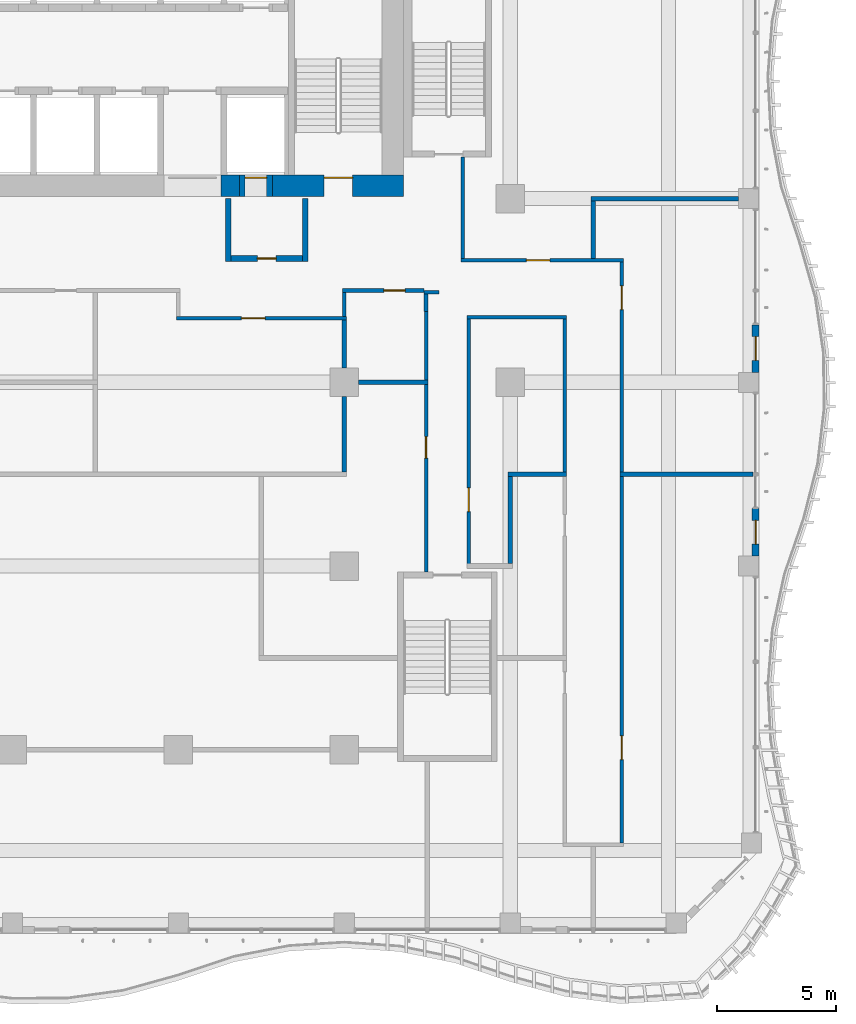
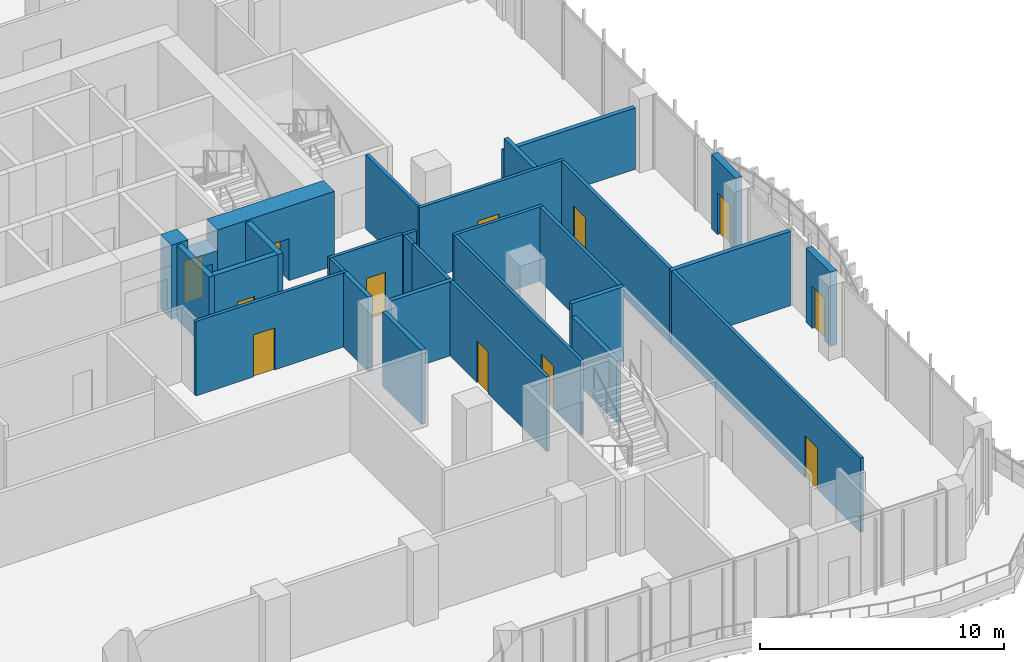
# One storey, part 14 of 27: 30 walls, 12 doors, 12 openings.
"""IFC4 building model written with IfcOpenShell, lengths in metres."""

from ifc_helpers import new_model, si_unit, direction, frame, frame_2d, origin, place, context, subcontext, project, spatial, rectangle, extrude, source, transform, mapped, material, layer, layer_set, type_object, element, fill, save


model = new_model("IFC4")

# Units and contexts
model_context = context("Model", 3, precision=1e-05, world=origin(), true_north=direction((0.0, 1.0)))
body_context = subcontext(model_context, "Body", "Model", "MODEL_VIEW")
ifc_project = project(units=[si_unit("LENGTHUNIT", "METRE"), si_unit("AREAUNIT", "SQUARE_METRE"), si_unit("VOLUMEUNIT", "CUBIC_METRE"), si_unit("PLANEANGLEUNIT", "RADIAN"), si_unit("MASSUNIT", "GRAM", prefix="KILO")], contexts=[model_context])

# Site, building, storey
site_placement = place(None, origin())
site = spatial("IfcSite", under=ifc_project, at=site_placement, CompositionType="ELEMENT")
building_placement = place(site_placement, origin())
building = spatial("IfcBuilding", under=site, at=building_placement, Name="Kilnfold Tower and Market Hall", CompositionType="ELEMENT")
storey_placement = place(building_placement, frame((0.0, 0.0, 116.60009765625)))
storey = spatial("IfcBuildingStorey", under=building, at=storey_placement, Name="L27", CompositionType="ELEMENT", Elevation=116.60009765625)

# Wall, opening, door
ifc_material_1 = material(Name="Gypsum board on steel studs", Category="steel")
ifc_layer_1 = layer(ifc_material_1, 0.14990234375)
ifc_layer_set_1 = layer_set([ifc_layer_1], Name="Gypsum board on steel studs")
wall_type_1 = type_object("IfcWallType", Name="WALL CORRIDOR 150", PredefinedType="PARTITIONING", material=ifc_layer_set_1)
wall_1_placement = place(storey_placement, frame((8.425048828125, 2.949951171875, 0.0), z_axis=(0.0, 0.0, 1.0), x_axis=(1.0, 0.0, 0.0)))
wall_1 = element("IfcWall", 1, at=wall_1_placement, inside=storey, type_object=wall_type_1, Name="Partition LY17.15", PredefinedType="PARTITIONING", context=body_context, shape_type="SweptSolid", body=[
    extrude(rectangle(XDim=7.175048828125, YDim=0.14990234375, at=frame_2d((3.58740234375, 0.0))), origin(), (0.0, 0.0, 1.0), 3.719970703125),
])
opening_1_placement = place(wall_1_placement, frame((2.73291015625, 0.0, 0.0)))
opening_1 = element("IfcOpeningElement", 2, at=opening_1_placement, cuts=wall_1, Name="Opening D1", PredefinedType="OPENING", context=body_context, shape_type="SweptSolid", body=[
    extrude(rectangle(XDim=1.0, YDim=2.10009765625, at=frame_2d((0.5, 1.050048828125))), frame((0.0, 0.0849609375, 0.0), z_axis=(0.0, -1.0, 0.0), x_axis=(1.0, 0.0, 0.0)), (0.0, 0.0, 1.0), 0.169921875),
])
ifc_material_2 = material(Name="Timber veneer door leaf in steel frame", Category="steel")
door_type_1 = type_object("IfcDoorType", Name="DOOR ENTRY 1000 X2100", OperationType="NOTDEFINED", PredefinedType="DOOR", material=ifc_material_2)
door_1_placement = place(opening_1_placement, origin())
door_1 = element("IfcDoor", 3, at=door_1_placement, inside=storey, type_object=door_type_1, Name="Door D1", OperationType="SINGLE_SWING_RIGHT", OverallHeight=2.10009765625, OverallWidth=1.0, PredefinedType="DOOR", context=body_context, shape_type="SweptSolid", body=[
    extrude(rectangle(XDim=1.0, YDim=2.10009765625, at=frame_2d((0.5, 1.050048828125))), frame((0.0, 0.02490234375, 0.0), z_axis=(0.0, -1.0, 0.0), x_axis=(1.0, 0.0, 0.0)), (0.0, 0.0, 1.0), 0.050048828125),
])
fill(opening_1, door_1)

wall_2_placement = place(storey_placement, frame((18.949951171875, -7.75, 0.0), z_axis=(0.0, 0.0, 1.0), x_axis=(0.0, 1.0, 0.0)))
wall_2 = element("IfcWall", 4, at=wall_2_placement, inside=storey, type_object=wall_type_1, Name="Partition LY17.17", PredefinedType="PARTITIONING", context=body_context, shape_type="SweptSolid", body=[
    extrude(rectangle(XDim=7.909912109375, YDim=0.14990234375, at=frame_2d((3.955078125, 0.0))), origin(), (0.0, 0.0, 1.0), 3.719970703125),
])
opening_2_placement = place(wall_2_placement, frame((4.806884765625, 0.0, 0.0)))
opening_2 = element("IfcOpeningElement", 5, at=opening_2_placement, cuts=wall_2, Name="Opening D2", PredefinedType="OPENING", context=body_context, shape_type="SweptSolid", body=[
    extrude(rectangle(XDim=0.89990234375, YDim=2.10009765625, at=frame_2d((0.449951171875, 1.050048828125))), frame((0.0, 0.0849609375, 0.0), z_axis=(0.0, -1.0, 0.0), x_axis=(1.0, 0.0, 0.0)), (0.0, 0.0, 1.0), 0.169921875),
])
ifc_material_3 = material(Name="Timber veneer door leaf in steel frame", Category="steel")
door_type_2 = type_object("IfcDoorType", Name="DOOR ROOM 900 X2100", OperationType="NOTDEFINED", PredefinedType="DOOR", material=ifc_material_3)
door_2_placement = place(opening_2_placement, origin())
door_2 = element("IfcDoor", 6, at=door_2_placement, inside=storey, type_object=door_type_2, Name="Door D2", OperationType="SINGLE_SWING_LEFT", OverallHeight=2.10009765625, OverallWidth=0.89990234375, PredefinedType="DOOR", context=body_context, shape_type="SweptSolid", body=[
    extrude(rectangle(XDim=0.89990234375, YDim=2.10009765625, at=frame_2d((0.449951171875, 1.050048828125))), frame((0.0, 0.02490234375, 0.0), z_axis=(0.0, -1.0, 0.0), x_axis=(1.0, 0.0, 0.0)), (0.0, 0.0, 1.0), 0.050048828125),
])
fill(opening_2, door_2)

wall_3_placement = place(storey_placement, frame((27.199951171875, -19.175048828125, 0.0), z_axis=(0.0, 0.0, 1.0), x_axis=(0.0, 1.0, 0.0)))
wall_3 = element("IfcWall", 7, at=wall_3_placement, inside=storey, type_object=wall_type_1, Name="Partition LY17.20", PredefinedType="PARTITIONING", context=body_context, shape_type="SweptSolid", body=[
    extrude(rectangle(XDim=15.4599609375, YDim=0.14990234375, at=frame_2d((7.72998046875, 0.0))), origin(), (0.0, 0.0, 1.0), 3.719970703125),
])
opening_3_placement = place(wall_3_placement, frame((3.513916015625, 0.0, 0.0)))
opening_3 = element("IfcOpeningElement", 8, at=opening_3_placement, cuts=wall_3, Name="Opening D1", PredefinedType="OPENING", context=body_context, shape_type="SweptSolid", body=[
    extrude(rectangle(XDim=1.0, YDim=2.10009765625, at=frame_2d((0.5, 1.050048828125))), frame((0.0, 0.0849609375, 0.0), z_axis=(0.0, -1.0, 0.0), x_axis=(1.0, 0.0, 0.0)), (0.0, 0.0, 1.0), 0.169921875),
])
door_3_placement = place(opening_3_placement, origin())
door_3 = element("IfcDoor", 9, at=door_3_placement, inside=storey, type_object=door_type_1, Name="Door D1", OperationType="SINGLE_SWING_RIGHT", OverallHeight=2.10009765625, OverallWidth=1.0, PredefinedType="DOOR", context=body_context, shape_type="SweptSolid", body=[
    extrude(rectangle(XDim=1.0, YDim=2.10009765625, at=frame_2d((0.5, 1.050048828125))), frame((0.0, 0.02490234375, 0.0), z_axis=(0.0, -1.0, 0.0), x_axis=(1.0, 0.0, 0.0)), (0.0, 0.0, 1.0), 0.050048828125),
])
fill(opening_3, door_3)

# Walls
wall_4_placement = place(storey_placement, frame((24.800048828125, -3.534912109375, 0.0), z_axis=(0.0, 0.0, 1.0), x_axis=(0.0, 1.0, 0.0)))
element("IfcWall", 10, at=wall_4_placement, inside=storey, type_object=wall_type_1, Name="Partition LY17.22", PredefinedType="PARTITIONING", context=body_context, shape_type="SweptSolid", body=[
    extrude(rectangle(XDim=6.4599609375, YDim=0.14990234375, at=frame_2d((3.22998046875, 0.0))), origin(), (0.0, 0.0, 1.0), 3.719970703125),
])
wall_5_placement = place(storey_placement, frame((20.675048828125, 3.0, 0.0), z_axis=(0.0, 0.0, 1.0), x_axis=(1.0, 0.0, 0.0)))
element("IfcWall", 11, at=wall_5_placement, inside=storey, type_object=wall_type_1, Name="Partition LY17.23", PredefinedType="PARTITIONING", context=body_context, shape_type="SweptSolid", body=[
    extrude(rectangle(XDim=4.199951171875, YDim=0.14990234375, at=frame_2d((2.10009765625, 0.0))), origin(), (0.0, 0.0, 1.0), 3.719970703125),
])

# Wall, opening, door
wall_6_placement = place(storey_placement, frame((20.75, -7.409912109375, 0.0), z_axis=(0.0, 0.0, 1.0), x_axis=(0.0, 1.0, 0.0)))
wall_6 = element("IfcWall", 12, at=wall_6_placement, inside=storey, type_object=wall_type_1, Name="Partition LY17.24", PredefinedType="PARTITIONING", context=body_context, shape_type="SweptSolid", body=[
    extrude(rectangle(XDim=10.3349609375, YDim=0.14990234375, at=frame_2d((5.16748046875, 0.0))), origin(), (0.0, 0.0, 1.0), 3.719970703125),
])
opening_4_placement = place(wall_6_placement, frame((2.2080078125, 0.0, 0.0)))
opening_4 = element("IfcOpeningElement", 13, at=opening_4_placement, cuts=wall_6, Name="Opening D1", PredefinedType="OPENING", context=body_context, shape_type="SweptSolid", body=[
    extrude(rectangle(XDim=1.0, YDim=2.10009765625, at=frame_2d((0.5, 1.050048828125))), frame((0.0, 0.0849609375, 0.0), z_axis=(0.0, -1.0, 0.0), x_axis=(1.0, 0.0, 0.0)), (0.0, 0.0, 1.0), 0.169921875),
])
door_4_placement = place(opening_4_placement, origin())
door_4 = element("IfcDoor", 14, at=door_4_placement, inside=storey, type_object=door_type_1, Name="Door D1", OperationType="SINGLE_SWING_LEFT", OverallHeight=2.10009765625, OverallWidth=1.0, PredefinedType="DOOR", context=body_context, shape_type="SweptSolid", body=[
    extrude(rectangle(XDim=1.0, YDim=2.10009765625, at=frame_2d((0.5, 1.050048828125))), frame((0.0, 0.02490234375, 0.0), z_axis=(0.0, -1.0, 0.0), x_axis=(1.0, 0.0, 0.0)), (0.0, 0.0, 1.0), 0.050048828125),
])
fill(opening_4, door_4)

# Walls
wall_7_placement = place(storey_placement, frame((18.949951171875, 0.340087890625, 0.0), z_axis=(0.0, 0.0, 1.0), x_axis=(0.0, 1.0, 0.0)))
element("IfcWall", 15, at=wall_7_placement, inside=storey, type_object=wall_type_1, Name="Partition LY17.25", PredefinedType="PARTITIONING", context=body_context, shape_type="SweptSolid", body=[
    extrude(rectangle(XDim=2.907958984375, YDim=0.14990234375, at=frame_2d((1.4541015625, 0.0))), origin(), (0.0, 0.0, 1.0), 3.719970703125),
])
wall_8_placement = place(storey_placement, frame((18.947998046875, 3.97705078125, 0.0), z_axis=(0.0, 0.0, 1.0), x_axis=(0.0, -1.0, 0.0)))
element("IfcWall", 16, at=wall_8_placement, inside=storey, type_object=wall_type_1, Name="Partition LY17.26", PredefinedType="PARTITIONING", context=body_context, shape_type="SweptSolid", body=[
    extrude(rectangle(XDim=0.72900390625, YDim=0.14990234375, at=frame_2d((0.364501953125, 0.0))), origin(), (0.0, 0.0, 1.0), 3.719970703125),
])
wall_9_placement = place(storey_placement, frame((18.873046875, 4.052001953125, 0.0), z_axis=(0.0, 0.0, 1.0), x_axis=(1.0, 0.0, 0.0)))
element("IfcWall", 17, at=wall_9_placement, inside=storey, type_object=wall_type_1, Name="Partition LY17.27", PredefinedType="PARTITIONING", context=body_context, shape_type="SweptSolid", body=[
    extrude(rectangle(XDim=0.626953125, YDim=0.14990234375, at=frame_2d((0.3134765625, 0.0))), origin(), (0.0, 0.0, 1.0), 3.719970703125),
])

# Wall, opening, door
wall_10_placement = place(storey_placement, frame((15.425048828125, 4.125, 0.0), z_axis=(0.0, 0.0, 1.0), x_axis=(1.0, 0.0, 0.0)))
wall_10 = element("IfcWall", 18, at=wall_10_placement, inside=storey, type_object=wall_type_1, Name="Partition LY17.28", PredefinedType="PARTITIONING", context=body_context, shape_type="SweptSolid", body=[
    extrude(rectangle(XDim=3.447998046875, YDim=0.14990234375, at=frame_2d((1.72412109375, 0.0))), origin(), (0.0, 0.0, 1.0), 3.719970703125),
])
opening_5_placement = place(wall_10_placement, frame((1.741943359375, 0.0, 0.0)))
opening_5 = element("IfcOpeningElement", 19, at=opening_5_placement, cuts=wall_10, Name="Opening D2", PredefinedType="OPENING", context=body_context, shape_type="SweptSolid", body=[
    extrude(rectangle(XDim=0.89990234375, YDim=2.10009765625, at=frame_2d((0.449951171875, 1.050048828125))), frame((0.0, 0.0849609375, 0.0), z_axis=(0.0, -1.0, 0.0), x_axis=(1.0, 0.0, 0.0)), (0.0, 0.0, 1.0), 0.169921875),
])
door_5_placement = place(opening_5_placement, origin())
door_5 = element("IfcDoor", 20, at=door_5_placement, inside=storey, type_object=door_type_2, Name="Door D2", OperationType="SINGLE_SWING_RIGHT", OverallHeight=2.10009765625, OverallWidth=0.89990234375, PredefinedType="DOOR", context=body_context, shape_type="SweptSolid", body=[
    extrude(rectangle(XDim=0.89990234375, YDim=2.10009765625, at=frame_2d((0.449951171875, 1.050048828125))), frame((0.0, 0.02490234375, 0.0), z_axis=(0.0, -1.0, 0.0), x_axis=(1.0, 0.0, 0.0)), (0.0, 0.0, 1.0), 0.050048828125),
])
fill(opening_5, door_5)

# Wall
wall_11_placement = place(storey_placement, frame((15.5, 3.02490234375, 0.0), z_axis=(0.0, 0.0, 1.0), x_axis=(0.0, 1.0, 0.0)))
element("IfcWall", 21, at=wall_11_placement, inside=storey, type_object=wall_type_1, Name="Partition LY17.29", PredefinedType="PARTITIONING", context=body_context, shape_type="SweptSolid", body=[
    extrude(rectangle(XDim=1.025146484375, YDim=0.14990234375, at=frame_2d((0.5126953125, 0.0))), origin(), (0.0, 0.0, 1.0), 3.719970703125),
])

# Wall, opening, door
wall_12_placement = place(storey_placement, frame((27.199951171875, -3.534912109375, 0.0), z_axis=(0.0, 0.0, 1.0), x_axis=(0.0, 1.0, 0.0)))
wall_12 = element("IfcWall", 22, at=wall_12_placement, inside=storey, type_object=wall_type_1, Name="Partition LY17.30", PredefinedType="PARTITIONING", context=body_context, shape_type="SweptSolid", body=[
    extrude(rectangle(XDim=8.85986328125, YDim=0.14990234375, at=frame_2d((4.429931640625, 0.0))), origin(), (0.0, 0.0, 1.0), 3.719970703125),
])
opening_6_placement = place(wall_12_placement, frame((6.85400390625, 0.0, 0.0)))
opening_6 = element("IfcOpeningElement", 23, at=opening_6_placement, cuts=wall_12, Name="Opening D1", PredefinedType="OPENING", context=body_context, shape_type="SweptSolid", body=[
    extrude(rectangle(XDim=1.0, YDim=2.10009765625, at=frame_2d((0.5, 1.050048828125))), frame((0.0, 0.0849609375, 0.0), z_axis=(0.0, -1.0, 0.0), x_axis=(1.0, 0.0, 0.0)), (0.0, 0.0, 1.0), 0.169921875),
])
door_6_placement = place(opening_6_placement, origin())
door_6 = element("IfcDoor", 24, at=door_6_placement, inside=storey, type_object=door_type_1, Name="Door D1", OperationType="SINGLE_SWING_LEFT", OverallHeight=2.10009765625, OverallWidth=1.0, PredefinedType="DOOR", context=body_context, shape_type="SweptSolid", body=[
    extrude(rectangle(XDim=1.0, YDim=2.10009765625, at=frame_2d((0.5, 1.050048828125))), frame((0.0, 0.02490234375, 0.0), z_axis=(0.0, -1.0, 0.0), x_axis=(1.0, 0.0, 0.0)), (0.0, 0.0, 1.0), 0.050048828125),
])
fill(opening_6, door_6)

# Wall
wall_13_placement = place(storey_placement, frame((20.5, 5.47509765625, 0.0), z_axis=(0.0, 0.0, 1.0), x_axis=(0.0, 1.0, 0.0)))
element("IfcWall", 25, at=wall_13_placement, inside=storey, type_object=wall_type_1, Name="Partition LY17.32", PredefinedType="PARTITIONING", context=body_context, shape_type="SweptSolid", body=[
    extrude(rectangle(XDim=4.27490234375, YDim=0.14990234375, at=frame_2d((2.137451171875, 0.0))), origin(), (0.0, 0.0, 1.0), 3.719970703125),
])

# Wall, opening, door
wall_14_placement = place(storey_placement, frame((20.425048828125, 5.39990234375, 0.0), z_axis=(0.0, 0.0, 1.0), x_axis=(1.0, 0.0, 0.0)))
wall_14 = element("IfcWall", 26, at=wall_14_placement, inside=storey, type_object=wall_type_1, Name="Partition LY17.33", PredefinedType="PARTITIONING", context=body_context, shape_type="SweptSolid", body=[
    extrude(rectangle(XDim=6.849853515625, YDim=0.14990234375, at=frame_2d((3.4248046875, 0.0))), origin(), (0.0, 0.0, 1.0), 3.719970703125),
])
opening_7_placement = place(wall_14_placement, frame((2.751953125, 0.0, 0.0)))
opening_7 = element("IfcOpeningElement", 27, at=opening_7_placement, cuts=wall_14, Name="Opening D1", PredefinedType="OPENING", context=body_context, shape_type="SweptSolid", body=[
    extrude(rectangle(XDim=1.0, YDim=2.10009765625, at=frame_2d((0.5, 1.050048828125))), frame((0.0, 0.0849609375, 0.0), z_axis=(0.0, -1.0, 0.0), x_axis=(1.0, 0.0, 0.0)), (0.0, 0.0, 1.0), 0.169921875),
])
door_7_placement = place(opening_7_placement, origin())
door_7 = element("IfcDoor", 28, at=door_7_placement, inside=storey, type_object=door_type_1, Name="Door D1", OperationType="SINGLE_SWING_LEFT", OverallHeight=2.10009765625, OverallWidth=1.0, PredefinedType="DOOR", context=body_context, shape_type="SweptSolid", body=[
    extrude(rectangle(XDim=1.0, YDim=2.10009765625, at=frame_2d((0.5, 1.050048828125))), frame((0.0, 0.02490234375, 0.0), z_axis=(0.0, -1.0, 0.0), x_axis=(1.0, 0.0, 0.0)), (0.0, 0.0, 1.0), 0.050048828125),
])
fill(opening_7, door_7)

# Walls
ifc_material_4 = material(Name="Gypsum board on steel studs", Category="steel")
ifc_layer_2 = layer(ifc_material_4, 0.199951171875)
ifc_layer_set_2 = layer_set([ifc_layer_2], Name="Gypsum board on steel studs")
wall_type_2 = type_object("IfcWallType", Name="WALL PARTY 200", PredefinedType="PARTITIONING", material=ifc_layer_set_2)
wall_15_placement = place(storey_placement, frame((15.5, -3.52490234375, 0.0), z_axis=(0.0, 0.0, 1.0), x_axis=(0.0, 1.0, 0.0)))
element("IfcWall", 29, at=wall_15_placement, inside=storey, type_object=wall_type_2, Name="Partition LY17.55", PredefinedType="PARTITIONING", context=body_context, shape_type="SweptSolid", body=[
    extrude(rectangle(XDim=3.1748046875, YDim=0.199951171875, at=frame_2d((1.58740234375, 0.0))), origin(), (0.0, 0.0, 1.0), 3.719970703125),
])
wall_16_placement = place(storey_placement, frame((15.5, 0.85009765625, 0.0), z_axis=(0.0, 0.0, 1.0), x_axis=(0.0, 1.0, 0.0)))
element("IfcWall", 30, at=wall_16_placement, inside=storey, type_object=wall_type_2, Name="Partition LY17.56", PredefinedType="PARTITIONING", context=body_context, shape_type="SweptSolid", body=[
    extrude(rectangle(XDim=2.02392578125, YDim=0.199951171875, at=frame_2d((1.011962890625, 0.0))), origin(), (0.0, 0.0, 1.0), 3.719970703125),
])
wall_17_placement = place(storey_placement, frame((16.10009765625, 0.25, 0.0), z_axis=(0.0, 0.0, 1.0), x_axis=(1.0, 0.0, 0.0)))
element("IfcWall", 31, at=wall_17_placement, inside=storey, type_object=wall_type_2, Name="Partition LY17.57", PredefinedType="PARTITIONING", context=body_context, shape_type="SweptSolid", body=[
    extrude(rectangle(XDim=2.923828125, YDim=0.199951171875, at=frame_2d((1.4619140625, 0.0))), origin(), (0.0, 0.0, 1.0), 3.719970703125),
])
wall_18_placement = place(storey_placement, frame((27.1259765625, -3.625, 0.0), z_axis=(0.0, 0.0, 1.0), x_axis=(1.0, 0.0, 0.0)))
element("IfcWall", 32, at=wall_18_placement, inside=storey, type_object=wall_type_2, Name="Partition LY17.60", PredefinedType="PARTITIONING", context=body_context, shape_type="SweptSolid", body=[
    extrude(rectangle(XDim=5.6240234375, YDim=0.199951171875, at=frame_2d((2.81201171875, 0.0))), origin(), (0.0, 0.0, 1.0), 3.719970703125),
])
wall_19_placement = place(storey_placement, frame((22.5, -3.72509765625, 0.0), z_axis=(0.0, 0.0, 1.0), x_axis=(0.0, -1.0, 0.0)))
element("IfcWall", 33, at=wall_19_placement, inside=storey, type_object=wall_type_2, Name="Partition LY17.62", PredefinedType="PARTITIONING", context=body_context, shape_type="SweptSolid", body=[
    extrude(rectangle(XDim=3.6748046875, YDim=0.199951171875, at=frame_2d((1.83740234375, 0.0))), origin(), (0.0, 0.0, 1.0), 3.06982421875),
])
wall_20_placement = place(storey_placement, frame((22.39990234375, -3.625, 0.0), z_axis=(0.0, 0.0, 1.0), x_axis=(1.0, 0.0, 0.0)))
element("IfcWall", 34, at=wall_20_placement, inside=storey, type_object=wall_type_2, Name="Partition LY17.63", PredefinedType="PARTITIONING", context=body_context, shape_type="SweptSolid", body=[
    extrude(rectangle(XDim=2.47412109375, YDim=0.199951171875, at=frame_2d((1.237060546875, 0.0))), origin(), (0.0, 0.0, 1.0), 3.719970703125),
])
wall_21_placement = place(storey_placement, frame((26.0, 5.47607421875, 0.0), z_axis=(0.0, 0.0, 1.0), x_axis=(0.0, 1.0, 0.0)))
element("IfcWall", 35, at=wall_21_placement, inside=storey, type_object=wall_type_2, Name="Partition LY17.64", PredefinedType="PARTITIONING", context=body_context, shape_type="SweptSolid", body=[
    extrude(rectangle(XDim=2.423828125, YDim=0.199951171875, at=frame_2d((1.2119140625, 0.0))), origin(), (0.0, 0.0, 1.0), 3.719970703125),
])
wall_22_placement = place(storey_placement, frame((25.89990234375, 8.0, 0.0), z_axis=(0.0, 0.0, 1.0), x_axis=(1.0, 0.0, 0.0)))
element("IfcWall", 36, at=wall_22_placement, inside=storey, type_object=wall_type_2, Name="Partition LY17.65", PredefinedType="PARTITIONING", context=body_context, shape_type="SweptSolid", body=[
    extrude(rectangle(XDim=6.22509765625, YDim=0.199951171875, at=frame_2d((3.112548828125, 0.0))), origin(), (0.0, 0.0, 1.0), 3.06982421875),
])
ifc_material_5 = material(Name="Concrete C70", Category="concrete")
ifc_layer_3 = layer(ifc_material_5, 0.89990234375)
ifc_layer_set_3 = layer_set([ifc_layer_3], Name="Concrete C70")
wall_type_3 = type_object("IfcWallType", Name="CORE WALL 900 C70", PredefinedType="SHEAR", material=ifc_layer_set_3)
shared_shape_1 = source(origin(), body_context, "Body", "SweptSolid", [
    extrude(rectangle(XDim=0.780029296875, YDim=0.89990234375, at=frame_2d((0.39013671875, 0.0))), origin(), (0.0, 0.0, 1.0), 3.719970703125),
])
wall_23_placement = place(storey_placement, frame((10.2900390625, 8.550048828125, 0.0), z_axis=(0.0, 0.0, 1.0), x_axis=(1.0, 0.0, 0.0)))
element("IfcWall", 37, at=wall_23_placement, inside=storey, type_object=wall_type_3, Name="Core outer wall south", PredefinedType="SHEAR", context=body_context, shape_type="MappedRepresentation", body=[
    mapped(shared_shape_1, transform((0.0, 0.0, 0.0))),
])

# Wall, opening, door
shared_shape_2 = source(origin(), body_context, "Body", "SweptSolid", [
    extrude(rectangle(XDim=5.530029296875, YDim=0.89990234375, at=frame_2d((2.76513671875, 0.0))), origin(), (0.0, 0.0, 1.0), 3.719970703125),
])
wall_24_placement = place(storey_placement, frame((12.469970703125, 8.550048828125, 0.0), z_axis=(0.0, 0.0, 1.0), x_axis=(1.0, 0.0, 0.0)))
wall_24 = element("IfcWall", 38, at=wall_24_placement, inside=storey, type_object=wall_type_3, Name="Core outer wall south", PredefinedType="SHEAR", context=body_context, shape_type="MappedRepresentation", body=[
    mapped(shared_shape_2, transform((0.0, 0.0, 0.0))),
])
opening_8_placement = place(wall_24_placement, frame((2.179931640625, 0.0, 0.0)))
opening_8 = element("IfcOpeningElement", 39, at=opening_8_placement, cuts=wall_24, Name="Opening SD1", PredefinedType="OPENING", context=body_context, shape_type="SweptSolid", body=[
    extrude(rectangle(XDim=1.199951171875, YDim=2.10009765625, at=frame_2d((0.60009765625, 1.050048828125))), frame((0.0, 0.4599609375, 0.0), z_axis=(0.0, -1.0, 0.0), x_axis=(1.0, 0.0, 0.0)), (0.0, 0.0, 1.0), 0.919921875),
])
ifc_material_6 = material(Name="Steel door set with fire-resisting leaf", Category="steel")
door_type_3 = type_object("IfcDoorType", Name="STAIR FLOOR DOOR 1200X2100", OperationType="NOTDEFINED", PredefinedType="DOOR", material=ifc_material_6)
door_8_placement = place(opening_8_placement, origin())
door_8 = element("IfcDoor", 40, at=door_8_placement, inside=storey, type_object=door_type_3, Name="Exit stair ST2 door", OperationType="DOUBLE_DOOR_SINGLE_SWING", OverallHeight=2.10009765625, OverallWidth=1.199951171875, PredefinedType="DOOR", context=body_context, shape_type="SweptSolid", body=[
    extrude(rectangle(XDim=1.199951171875, YDim=2.10009765625, at=frame_2d((0.60009765625, 1.050048828125))), frame((0.0, 0.35498046875, 0.0), z_axis=(0.0, -1.0, 0.0), x_axis=(1.0, 0.0, 0.0)), (0.0, 0.0, 1.0), 0.050048828125),
])
fill(opening_8, door_8)

ifc_material_7 = material(Name="Precast concrete C50/60", Category="concrete")
ifc_layer_4 = layer(ifc_material_7, 0.300048828125)
ifc_layer_set_4 = layer_set([ifc_layer_4], Name="Precast concrete C50/60")
wall_type_4 = type_object("IfcWallType", Name="PRECAST WALL 300", PredefinedType="SOLIDWALL", material=ifc_layer_set_4)
shared_shape_3 = source(origin(), body_context, "Body", "SweptSolid", [
    extrude(rectangle(XDim=2.0, YDim=0.300048828125, at=frame_2d((1.0, 0.0))), origin(), (0.0, 0.0, 1.0), 3.719970703125),
])
wall_25_placement = place(storey_placement, frame((32.85009765625, -7.074951171875, 0.0), z_axis=(0.0, 0.0, 1.0), x_axis=(0.0, 1.0, 0.0)))
wall_25 = element("IfcWall", 41, at=wall_25_placement, inside=storey, type_object=wall_type_4, Name="External wall L27 E", PredefinedType="SOLIDWALL", context=body_context, shape_type="MappedRepresentation", body=[
    mapped(shared_shape_3, transform((0.0, 0.0, 0.0))),
])
opening_9_placement = place(wall_25_placement, frame((0.5, 0.0, 0.0)))
opening_9 = element("IfcOpeningElement", 42, at=opening_9_placement, cuts=wall_25, Name="Opening BD1", PredefinedType="OPENING", context=body_context, shape_type="SweptSolid", body=[
    extrude(rectangle(XDim=1.0, YDim=2.10009765625, at=frame_2d((0.5, 1.050048828125))), frame((0.0, 0.16015625, 0.0), z_axis=(0.0, -1.0, 0.0), x_axis=(1.0, 0.0, 0.0)), (0.0, 0.0, 1.0), 0.320068359375),
])
ifc_material_8 = material(Name="Aluminium frame and double glazing", Category="aluminium")
door_type_4 = type_object("IfcDoorType", Name="BALCONY DOOR 1000X2100", OperationType="NOTDEFINED", PredefinedType="DOOR", material=ifc_material_8)
door_9_placement = place(opening_9_placement, origin())
door_9 = element("IfcDoor", 43, at=door_9_placement, inside=storey, type_object=door_type_4, Name="Balcony door BD1 L27 E-1", OperationType="SINGLE_SWING_LEFT", OverallHeight=2.10009765625, OverallWidth=1.0, PredefinedType="DOOR", context=body_context, shape_type="SweptSolid", body=[
    extrude(rectangle(XDim=1.0, YDim=2.10009765625, at=frame_2d((0.5, 1.050048828125))), frame((0.0, 0.02490234375, 0.0), z_axis=(0.0, -1.0, 0.0), x_axis=(1.0, 0.0, 0.0)), (0.0, 0.0, 1.0), 0.050048828125),
])
fill(opening_9, door_9)

wall_26_placement = place(storey_placement, frame((32.85009765625, 0.675048828125, 0.0), z_axis=(0.0, 0.0, 1.0), x_axis=(0.0, 1.0, 0.0)))
wall_26 = element("IfcWall", 44, at=wall_26_placement, inside=storey, type_object=wall_type_4, Name="External wall L27 E", PredefinedType="SOLIDWALL", context=body_context, shape_type="MappedRepresentation", body=[
    mapped(shared_shape_3, transform((0.0, 0.0, 0.0))),
])
opening_10_placement = place(wall_26_placement, frame((0.5, 0.0, 0.0)))
opening_10 = element("IfcOpeningElement", 45, at=opening_10_placement, cuts=wall_26, Name="Opening BD1", PredefinedType="OPENING", context=body_context, shape_type="SweptSolid", body=[
    extrude(rectangle(XDim=1.0, YDim=2.10009765625, at=frame_2d((0.5, 1.050048828125))), frame((0.0, 0.16015625, 0.0), z_axis=(0.0, -1.0, 0.0), x_axis=(1.0, 0.0, 0.0)), (0.0, 0.0, 1.0), 0.320068359375),
])
door_10_placement = place(opening_10_placement, origin())
door_10 = element("IfcDoor", 46, at=door_10_placement, inside=storey, type_object=door_type_4, Name="Balcony door BD1 L27 E-1", OperationType="SINGLE_SWING_LEFT", OverallHeight=2.10009765625, OverallWidth=1.0, PredefinedType="DOOR", context=body_context, shape_type="SweptSolid", body=[
    extrude(rectangle(XDim=1.0, YDim=2.10009765625, at=frame_2d((0.5, 1.050048828125))), frame((0.0, 0.02490234375, 0.0), z_axis=(0.0, -1.0, 0.0), x_axis=(1.0, 0.0, 0.0)), (0.0, 0.0, 1.0), 0.050048828125),
])
fill(opening_10, door_10)

# Walls
ifc_material_9 = material(Name="Gypsum shaft wall system")
ifc_layer_5 = layer(ifc_material_9, 0.25)
ifc_layer_set_5 = layer_set([ifc_layer_5], Name="Gypsum shaft wall system")
wall_type_5 = type_object("IfcWallType", Name="LOBBY WALL 250", PredefinedType="PARTITIONING", material=ifc_layer_set_5)
shared_shape_4 = source(origin(), body_context, "Body", "SweptSolid", [
    extrude(rectangle(XDim=2.64990234375, YDim=0.25, at=frame_2d((1.324951171875, 0.0))), origin(), (0.0, 0.0, 1.0), 3.719970703125),
])
for number, where, z_axis, x_axis, name in (
    (47, (10.60498046875, 5.35009765625, 0.0), (0.0, 0.0, 1.0), (0.0, 1.0, 0.0), "Firefighting lobby wall"),
    (48, (13.85498046875, 5.35009765625, 0.0), (0.0, 0.0, 1.0), (0.0, 1.0, 0.0), "Firefighting lobby wall"),
):
    element("IfcWall", number, at=place(storey_placement, frame(where, z_axis=z_axis, x_axis=x_axis)), inside=storey, type_object=wall_type_5, Name=name, PredefinedType="PARTITIONING", context=body_context, shape_type="MappedRepresentation", body=[
        mapped(shared_shape_4, transform((0.0, 0.0, 0.0))),
    ])

# Wall, opening, door
shared_shape_5 = source(origin(), body_context, "Body", "SweptSolid", [
    extrude(rectangle(XDim=3.0, YDim=0.25, at=frame_2d((1.5, 0.0))), origin(), (0.0, 0.0, 1.0), 3.719970703125),
])
wall_27_placement = place(storey_placement, frame((10.72998046875, 5.47509765625, 0.0), z_axis=(0.0, 0.0, 1.0), x_axis=(1.0, 0.0, 0.0)))
wall_27 = element("IfcWall", 49, at=wall_27_placement, inside=storey, type_object=wall_type_5, Name="Firefighting lobby wall", PredefinedType="PARTITIONING", context=body_context, shape_type="MappedRepresentation", body=[
    mapped(shared_shape_5, transform((0.0, 0.0, 0.0))),
])
opening_11_placement = place(wall_27_placement, frame((1.10009765625, 0.0, 0.0)))
opening_11 = element("IfcOpeningElement", 50, at=opening_11_placement, cuts=wall_27, Name="Opening VD1", PredefinedType="OPENING", context=body_context, shape_type="SweptSolid", body=[
    extrude(rectangle(XDim=0.800048828125, YDim=2.0, at=frame_2d((0.39990234375, 1.0))), frame((0.0, 0.135009765625, 0.0), z_axis=(0.0, -1.0, 0.0), x_axis=(1.0, 0.0, 0.0)), (0.0, 0.0, 1.0), 0.27001953125),
])
ifc_material_10 = material(Name="Steel door set with fire-resisting leaf", Category="steel")
door_type_5 = type_object("IfcDoorType", Name="FIREFIGHTING LOBBY DOOR 800X2000", OperationType="NOTDEFINED", PredefinedType="DOOR", material=ifc_material_10)
door_11_placement = place(opening_11_placement, origin())
door_11 = element("IfcDoor", 51, at=door_11_placement, inside=storey, type_object=door_type_5, Name="Firefighting lobby door", OperationType="SINGLE_SWING_RIGHT", OverallHeight=2.0, OverallWidth=0.800048828125, PredefinedType="DOOR", context=body_context, shape_type="SweptSolid", body=[
    extrude(rectangle(XDim=0.800048828125, YDim=2.0, at=frame_2d((0.39990234375, 1.0))), frame((0.0, 0.02490234375, 0.0), z_axis=(0.0, -1.0, 0.0), x_axis=(1.0, 0.0, 0.0)), (0.0, 0.0, 1.0), 0.050048828125),
])
fill(opening_11, door_11)

ifc_material_11 = material(Name="Gypsum shaft wall system")
ifc_layer_6 = layer(ifc_material_11, 0.89990234375)
ifc_layer_set_6 = layer_set([ifc_layer_6], Name="Gypsum shaft wall system")
wall_type_6 = type_object("IfcWallType", Name="LOBBY WALL 900", PredefinedType="PARTITIONING", material=ifc_layer_set_6)
shared_shape_6 = source(origin(), body_context, "Body", "SweptSolid", [
    extrude(rectangle(XDim=1.39990234375, YDim=0.89990234375, at=frame_2d((0.699951171875, 0.0))), origin(), (0.0, 0.0, 1.0), 2.699951171875),
])
wall_28_placement = place(storey_placement, frame((11.070068359375, 8.550048828125, 0.0), z_axis=(0.0, 0.0, 1.0), x_axis=(1.0, 0.0, 0.0)))
wall_28 = element("IfcWall", 52, at=wall_28_placement, inside=storey, type_object=wall_type_6, Name="Core wall infill", PredefinedType="PARTITIONING", context=body_context, shape_type="MappedRepresentation", body=[
    mapped(shared_shape_6, transform((0.0, 0.0, 0.0))),
])
opening_12_placement = place(wall_28_placement, frame((0.25, 0.0, 0.0)))
opening_12 = element("IfcOpeningElement", 53, at=opening_12_placement, cuts=wall_28, Name="Opening LD1", PredefinedType="OPENING", context=body_context, shape_type="SweptSolid", body=[
    extrude(rectangle(XDim=0.89990234375, YDim=2.10009765625, at=frame_2d((0.449951171875, 1.050048828125))), frame((0.0, 0.4599609375, 0.0), z_axis=(0.0, -1.0, 0.0), x_axis=(1.0, 0.0, 0.0)), (0.0, 0.0, 1.0), 0.919921875),
])
ifc_material_12 = material(Name="Steel door set with fire-resisting leaf", Category="steel")
door_type_6 = type_object("IfcDoorType", Name="FIREFIGHTING LANDING DOOR 900X2100", OperationType="NOTDEFINED", PredefinedType="DOOR", material=ifc_material_12)
door_12_placement = place(opening_12_placement, origin())
door_12 = element("IfcDoor", 54, at=door_12_placement, inside=storey, type_object=door_type_6, Name="Landing door FF3", OperationType="SLIDING_TO_LEFT", OverallHeight=2.10009765625, OverallWidth=0.89990234375, PredefinedType="DOOR", context=body_context, shape_type="SweptSolid", body=[
    extrude(rectangle(XDim=0.89990234375, YDim=2.10009765625, at=frame_2d((0.449951171875, 1.050048828125))), frame((0.0, 0.35498046875, 0.0), z_axis=(0.0, -1.0, 0.0), x_axis=(1.0, 0.0, 0.0)), (0.0, 0.0, 1.0), 0.050048828125),
])
fill(opening_12, door_12)

save(model, "model.ifc")
